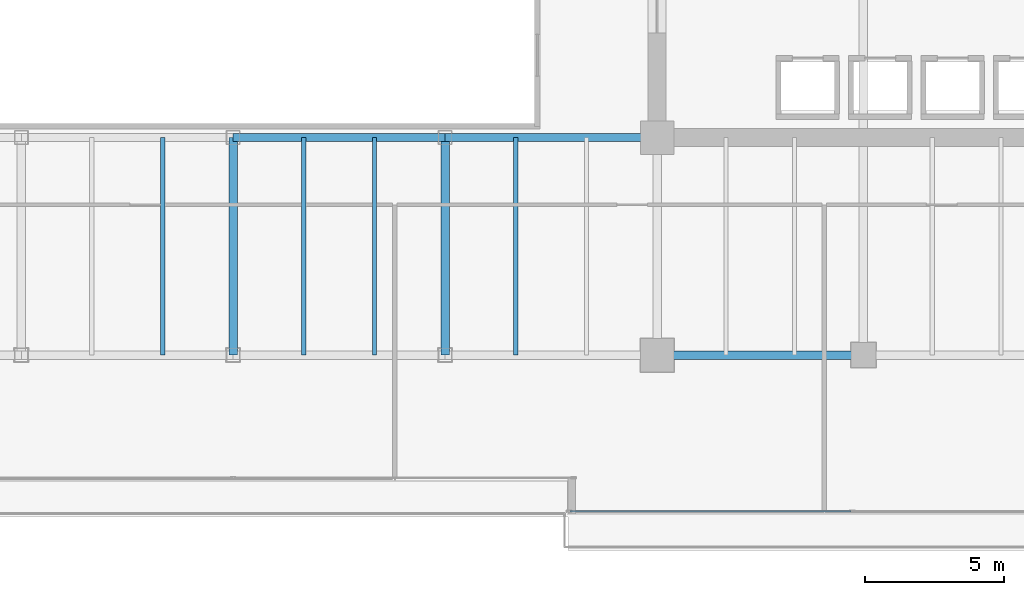
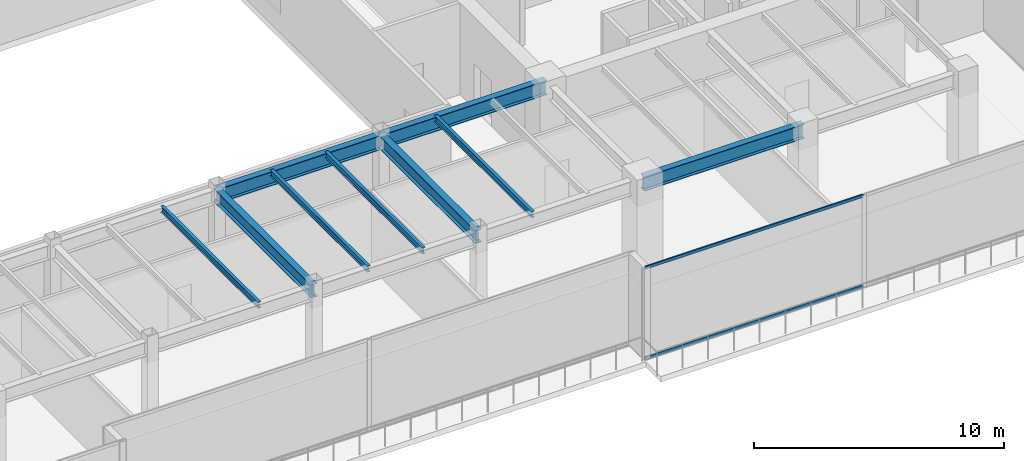
# One storey, part 11 of 33: 9 beams, 2 members, 1 element without a shape of its own.
"""IFC4 building model written with IfcOpenShell, lengths in metres."""

from ifc_helpers import new_model, si_unit, direction, frame, origin, origin_2d, place, context, subcontext, project, spatial, hollow_rectangle, i_section, extrude, source, transform, mapped, material, layer, layer_set, material_profile, profile_set, type_object, type_shapes, element, aggregate, save


model = new_model("IFC4")

# Units and contexts
model_context = context("Model", 3, precision=1e-05, world=origin(), true_north=direction((0.0, 1.0)))
body_context = subcontext(model_context, "Body", "Model", "MODEL_VIEW")
ifc_project = project(units=[si_unit("LENGTHUNIT", "METRE"), si_unit("AREAUNIT", "SQUARE_METRE"), si_unit("VOLUMEUNIT", "CUBIC_METRE"), si_unit("PLANEANGLEUNIT", "RADIAN"), si_unit("MASSUNIT", "GRAM", prefix="KILO")], contexts=[model_context])

# Site, building, storey
site_placement = place(None, origin())
site = spatial("IfcSite", under=ifc_project, at=site_placement, CompositionType="ELEMENT")
building_placement = place(site_placement, origin())
building = spatial("IfcBuilding", under=site, at=building_placement, Name="Haelvirn Gate Laboratories", CompositionType="ELEMENT")
storey_placement = place(building_placement, frame((0.0, 0.0, 100.300048828125)))
storey = spatial("IfcBuildingStorey", under=building, at=storey_placement, Name="L24", CompositionType="ELEMENT", Elevation=100.300048828125)

# Beams
ifc_material_1 = material(Name="Steel SM355", Category="steel")
ifc_material_profile_1 = material_profile(ifc_material_1, i_section(OverallWidth=0.300048828125, OverallDepth=0.64990234375, WebThickness=0.012939453125, FlangeThickness=0.02197265625, at=origin_2d()), Name="H-650x300x13x22")
ifc_profile_set_1 = profile_set([ifc_material_profile_1], Name="Steel SM355")
beam_type_1 = type_object("IfcBeamType", Name="BM-G-650", PredefinedType="BEAM", material=ifc_profile_set_1)
shared_shape_1 = source(origin(), body_context, "Body", "SweptSolid", [
    extrude(i_section(OverallWidth=0.300048828125, OverallDepth=0.64990234375, WebThickness=0.012939453125, FlangeThickness=0.02197265625, at=origin_2d()), origin(), (0.0, 0.0, 1.0), 7.800048828125),
])
type_shapes(beam_type_1, [shared_shape_1])
for number, where, z_axis, x_axis, name in (
    (1, (37.39990234375, 7.0, 4.1650390625), (0.0, 1.0, 0.0), (-1.0, 0.0, 0.0), "L24 Frame Girder X37.4 (7.0-14.8)"),
    (2, (45.0, 7.0, 4.1650390625), (0.0, 1.0, 0.0), (-1.0, 0.0, 0.0), "L24 Frame Girder X45.0 (7.0-14.8)"),
):
    element("IfcBeam", number, at=place(storey_placement, frame(where, z_axis=z_axis, x_axis=x_axis)), inside=storey, type_object=beam_type_1, Name=name, PredefinedType="BEAM", context=body_context, shape_type="MappedRepresentation", body=[
        mapped(shared_shape_1, transform((0.0, 0.0, 0.0), scale=1.0)),
    ])
ifc_material_profile_2 = material_profile(ifc_material_1, i_section(OverallWidth=0.300048828125, OverallDepth=0.699951171875, WebThickness=0.012939453125, FlangeThickness=0.02392578125, at=origin_2d()), Name="H-700x300x13x24")
ifc_profile_set_2 = profile_set([ifc_material_profile_2], Name="Steel SM355")
beam_type_2 = type_object("IfcBeamType", Name="BM-G-700", PredefinedType="BEAM", material=ifc_profile_set_2)
shared_shape_2 = source(origin(), body_context, "Body", "SweptSolid", [
    extrude(i_section(OverallWidth=0.300048828125, OverallDepth=0.699951171875, WebThickness=0.012939453125, FlangeThickness=0.02392578125, at=origin_2d()), origin(), (0.0, 0.0, 1.0), 7.39990234375),
])
beam_placement = place(storey_placement, frame((52.60009765625, 7.0, 4.139892578125), z_axis=(1.0, 0.0, 0.0), x_axis=(0.0, 1.0, 0.0)))
element("IfcBeam", 3, at=beam_placement, inside=storey, type_object=beam_type_2, Name="L24 Primary Girder Y7.0 (52.6-60.0)", PredefinedType="BEAM", context=body_context, shape_type="MappedRepresentation", body=[
    mapped(shared_shape_2, transform((0.0, 0.0, 0.0), scale=1.0)),
])
shared_shape_3 = source(origin(), body_context, "Body", "SweptSolid", [
    extrude(i_section(OverallWidth=0.300048828125, OverallDepth=0.699951171875, WebThickness=0.012939453125, FlangeThickness=0.02392578125, at=origin_2d()), origin(), (0.0, 0.0, 1.0), 7.60009765625),
])
type_shapes(beam_type_2, [shared_shape_2, shared_shape_3])
for number, where, z_axis, x_axis, name in (
    (4, (37.39990234375, 14.800048828125, 4.139892578125), (1.0, 0.0, 0.0), (0.0, 1.0, 0.0), "L24 Primary Girder Y14.8 (37.4-45.0)"),
    (5, (45.0, 14.800048828125, 4.139892578125), (1.0, 0.0, 0.0), (0.0, 1.0, 0.0), "L24 Primary Girder Y14.8 (45.0-52.6)"),
):
    element("IfcBeam", number, at=place(storey_placement, frame(where, z_axis=z_axis, x_axis=x_axis)), inside=storey, type_object=beam_type_2, Name=name, PredefinedType="BEAM", context=body_context, shape_type="MappedRepresentation", body=[
        mapped(shared_shape_3, transform((0.0, 0.0, 0.0), scale=1.0)),
    ])
ifc_material_profile_3 = material_profile(ifc_material_1, i_section(OverallWidth=0.14990234375, OverallDepth=0.300048828125, WebThickness=0.006591796875, FlangeThickness=0.009033203125, at=origin_2d()), Name="H-300x150x6.5x9")
ifc_profile_set_3 = profile_set([ifc_material_profile_3], Name="Steel SM355")
beam_type_3 = type_object("IfcBeamType", Name="BM-J-300", PredefinedType="JOIST", material=ifc_profile_set_3)
shared_shape_4 = source(origin(), body_context, "Body", "SweptSolid", [
    extrude(i_section(OverallWidth=0.14990234375, OverallDepth=0.300048828125, WebThickness=0.006591796875, FlangeThickness=0.009033203125, at=origin_2d()), origin(), (0.0, 0.0, 1.0), 7.800048828125),
])
type_shapes(beam_type_3, [shared_shape_4])
for number, where, z_axis, x_axis, name in (
    (6, (34.8701171875, 7.0, 4.33984375), (0.0, 1.0, 0.0), (-1.0, 0.0, 0.0), "L24 Composite Lab Joist South X34.87"),
    (7, (39.929931640625, 7.0, 4.33984375), (0.0, 1.0, 0.0), (-1.0, 0.0, 0.0), "L24 Composite Lab Joist South X39.93"),
    (8, (42.469970703125, 7.0, 4.33984375), (0.0, 1.0, 0.0), (-1.0, 0.0, 0.0), "L24 Composite Lab Joist South X42.47"),
    (9, (47.530029296875, 7.0, 4.33984375), (0.0, 1.0, 0.0), (-1.0, 0.0, 0.0), "L24 Composite Lab Joist South X47.53"),
):
    element("IfcBeam", number, at=place(storey_placement, frame(where, z_axis=z_axis, x_axis=x_axis)), inside=storey, type_object=beam_type_3, Name=name, PredefinedType="JOIST", context=body_context, shape_type="MappedRepresentation", body=[
        mapped(shared_shape_4, transform((0.0, 0.0, 0.0), scale=1.0)),
    ])

# Curtain wall, members
ifc_material_2 = material(Name="Anodised bronze unitised aluminium & triple low-E glass", Category="aluminium")
ifc_layer = layer(ifc_material_2, 0.179931640625, Name="CW-SYS-3")
ifc_layer_set = layer_set([ifc_layer], Name="Anodised bronze unitised aluminium & triple low-E glass")
curtain_wall_type = type_object("IfcCurtainWallType", Name="CW-SYS-3", PredefinedType="NOTDEFINED", material=ifc_layer_set)
curtain_wall_placement = place(storey_placement, origin())
curtain_wall = element("IfcCurtainWall", 10, at=curtain_wall_placement, inside=storey, type_object=curtain_wall_type, Name="L24 Unitised Curtain Wall CW-L24-P0-E04-1", PredefinedType="NOTDEFINED")
ifc_material_3 = material(Name="Extruded aluminium 6063-T6 (anodised bronze)", Category="aluminium")
ifc_material_profile_4 = material_profile(ifc_material_3, hollow_rectangle(XDim=0.06494140625, YDim=0.139892578125, WallThickness=0.00390625, at=origin_2d()), Name="CWT-140x65x4")
ifc_profile_set_4 = profile_set([ifc_material_profile_4], Name="Extruded aluminium 6063-T6 (anodised bronze)")
member_type = type_object("IfcMemberType", Name="CWT-T140", PredefinedType="USERDEFINED", material=ifc_profile_set_4)
shared_shape_5 = source(origin(), body_context, "Body", "SweptSolid", [
    extrude(hollow_rectangle(XDim=0.06494140625, YDim=0.139892578125, WallThickness=0.00390625, at=origin_2d()), origin(), (0.0, 0.0, 1.0), 10.08740234375),
])
type_shapes(member_type, [shared_shape_5])
member_1_placement = place(storey_placement, frame((49.47509765625, 1.39990234375, 0.032470703125), z_axis=(1.0, 0.0, 0.0), x_axis=(0.0, 1.0, 0.0)))
member_1 = element("IfcMember", 11, at=member_1_placement, type_object=member_type, Name="CW3 transom 1.1", ObjectType="TRANSOM", PredefinedType="USERDEFINED", context=body_context, shape_type="MappedRepresentation", body=[
    mapped(shared_shape_5, transform((0.0, 0.0, 0.0), scale=1.0)),
])
member_2_placement = place(storey_placement, frame((49.47509765625, 1.39990234375, 4.45751953125), z_axis=(1.0, 0.0, 0.0), x_axis=(0.0, 1.0, 0.0)))
member_2 = element("IfcMember", 12, at=member_2_placement, type_object=member_type, Name="CW3 transom 1.2", ObjectType="TRANSOM", PredefinedType="USERDEFINED", context=body_context, shape_type="MappedRepresentation", body=[
    mapped(shared_shape_5, transform((0.0, 0.0, 0.0), scale=1.0)),
])
aggregate(curtain_wall, [member_1, member_2])

save(model, "model.ifc")
